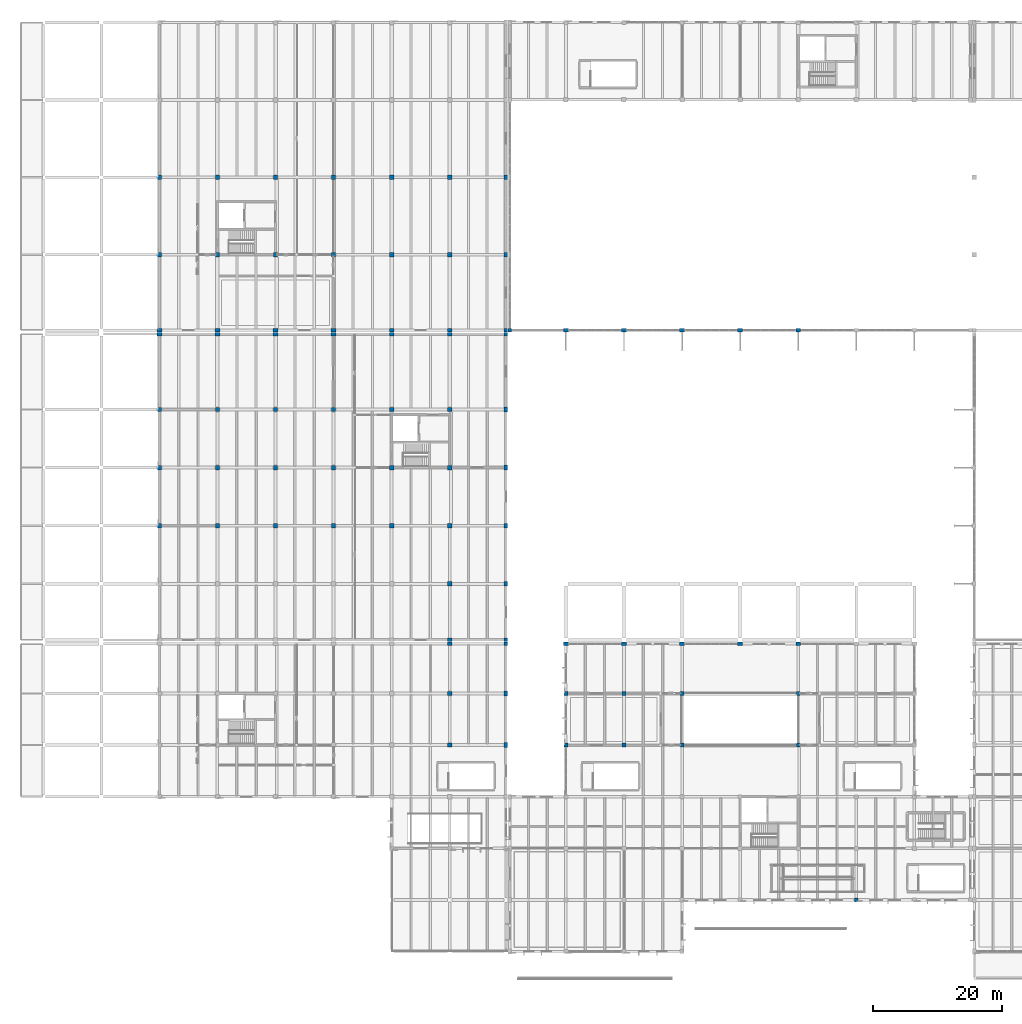
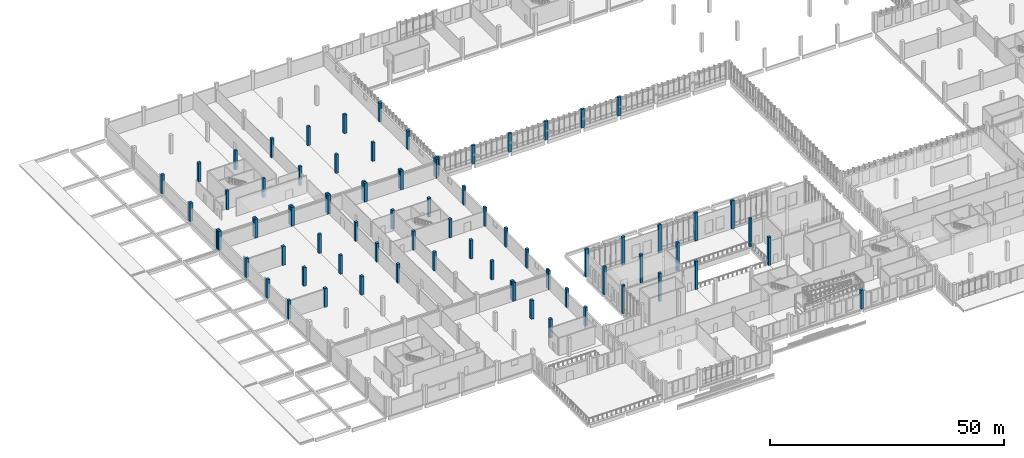
# One storey, part 3 of 110: 79 columns.
"""IFC4 building model written with IfcOpenShell, lengths in metres."""

from ifc_helpers import new_model, si_unit, direction, frame, origin, origin_2d, place, context, subcontext, project, spatial, rectangle, extrude, material, material_profile, profile_set, type_object, element, save


model = new_model("IFC4")

# Units and contexts
model_context = context("Model", 3, precision=1e-05, world=origin(), true_north=direction((0.0, 1.0)))
body_context = subcontext(model_context, "Body", "Model", "MODEL_VIEW")
ifc_project = project(units=[si_unit("LENGTHUNIT", "METRE"), si_unit("AREAUNIT", "SQUARE_METRE"), si_unit("VOLUMEUNIT", "CUBIC_METRE"), si_unit("PLANEANGLEUNIT", "RADIAN"), si_unit("MASSUNIT", "GRAM", prefix="KILO")], contexts=[model_context])

# Site, building, storey
site_placement = place(None, origin())
site = spatial("IfcSite", under=ifc_project, at=site_placement, CompositionType="ELEMENT")
building_placement = place(site_placement, origin())
building = spatial("IfcBuilding", under=site, at=building_placement, Name="Zacnel Wholesale Market", CompositionType="ELEMENT")
storey_placement = place(building_placement, frame((0.0, 0.0, 6.300048828125)))
storey = spatial("IfcBuildingStorey", under=building, at=storey_placement, Name="L02", CompositionType="ELEMENT", Elevation=6.300048828125)

# Columns
ifc_material_1 = material(Name="Precast concrete C45/55", Category="concrete")
ifc_material_profile_1 = material_profile(ifc_material_1, rectangle(XDim=0.550048828125, YDim=0.75, at=origin_2d()), Name="PC 550x750")
ifc_profile_set_1 = profile_set([ifc_material_profile_1], Name="Precast concrete C45/55")
column_type_1 = type_object("IfcColumnType", Name="COL-MJ550X750", PredefinedType="COLUMN", material=ifc_profile_set_1)
for number, where, z_axis, x_axis, name in (
    (1, (71.699951171875, 32.0, 0.0), (0.0, 0.0, 1.0), (1.0, 0.0, 0.0), "Precast column L02-0443"),
    (2, (71.699951171875, 40.0, 0.0), (0.0, 0.0, 1.0), (1.0, 0.0, 0.0), "Precast column L02-0444"),
    (3, (71.699951171875, 57.0, 0.0), (0.0, 0.0, 1.0), (1.0, 0.0, 0.0), "Precast column L02-0447"),
    (4, (71.699951171875, 66.0, 0.0), (0.0, 0.0, 1.0), (1.0, 0.0, 0.0), "Precast column L02-0448"),
    (5, (71.699951171875, 75.0, 0.0), (0.0, 0.0, 1.0), (1.0, 0.0, 0.0), "Precast column L02-0449"),
    (6, (71.699951171875, 84.0, 0.0), (0.0, 0.0, 1.0), (1.0, 0.0, 0.0), "Precast column L02-0450"),
    (7, (71.699951171875, 108.0, 0.0), (0.0, 0.0, 1.0), (1.0, 0.0, 0.0), "Precast column L02-0453"),
    (8, (71.699951171875, 120.0, 0.0), (0.0, 0.0, 1.0), (1.0, 0.0, 0.0), "Precast column L02-0454"),
):
    element("IfcColumn", number, at=place(storey_placement, frame(where, z_axis=z_axis, x_axis=x_axis)), inside=storey, type_object=column_type_1, Name=name, PredefinedType="COLUMN", context=body_context, shape_type="SweptSolid", body=[
        extrude(rectangle(XDim=0.550048828125, YDim=0.75, at=origin_2d()), origin(), (0.0, 0.0, 1.0), 4.89990234375),
    ])
ifc_material_2 = material(Name="Precast concrete C45/55", Category="concrete")
ifc_material_profile_2 = material_profile(ifc_material_2, rectangle(XDim=0.75, YDim=0.550048828125, at=origin_2d()), Name="PC 750x550")
ifc_profile_set_2 = profile_set([ifc_material_profile_2], Name="Precast concrete C45/55")
column_type_2 = type_object("IfcColumnType", Name="COL-MJ750X550", PredefinedType="COLUMN", material=ifc_profile_set_2)
for number, where, z_axis, x_axis, name in (
    (9, (18.0, 95.699951171875, 0.0), (0.0, 0.0, 1.0), (1.0, 0.0, 0.0), "Precast column L02-0361"),
    (10, (18.0, 96.300048828125, 0.0), (0.0, 0.0, 1.0), (1.0, 0.0, 0.0), "Precast column L02-0362"),
    (11, (27.0, 95.699951171875, 0.0), (0.0, 0.0, 1.0), (1.0, 0.0, 0.0), "Precast column L02-0376"),
    (12, (27.0, 96.300048828125, 0.0), (0.0, 0.0, 1.0), (1.0, 0.0, 0.0), "Precast column L02-0377"),
    (13, (36.0, 95.699951171875, 0.0), (0.0, 0.0, 1.0), (1.0, 0.0, 0.0), "Precast column L02-0391"),
    (14, (36.0, 96.300048828125, 0.0), (0.0, 0.0, 1.0), (1.0, 0.0, 0.0), "Precast column L02-0392"),
    (15, (45.0, 95.699951171875, 0.0), (0.0, 0.0, 1.0), (1.0, 0.0, 0.0), "Precast column L02-0406"),
    (16, (45.0, 96.300048828125, 0.0), (0.0, 0.0, 1.0), (1.0, 0.0, 0.0), "Precast column L02-0407"),
    (17, (54.0, 95.699951171875, 0.0), (0.0, 0.0, 1.0), (1.0, 0.0, 0.0), "Precast column L02-0421"),
    (18, (54.0, 96.300048828125, 0.0), (0.0, 0.0, 1.0), (1.0, 0.0, 0.0), "Precast column L02-0422"),
    (19, (63.0, 47.699951171875, 0.0), (0.0, 0.0, 1.0), (1.0, 0.0, 0.0), "Precast column L02-0430"),
    (20, (63.0, 48.300048828125, 0.0), (0.0, 0.0, 1.0), (1.0, 0.0, 0.0), "Precast column L02-0431"),
    (21, (63.0, 95.699951171875, 0.0), (0.0, 0.0, 1.0), (1.0, 0.0, 0.0), "Precast column L02-0436"),
    (22, (63.0, 96.300048828125, 0.0), (0.0, 0.0, 1.0), (1.0, 0.0, 0.0), "Precast column L02-0437"),
):
    element("IfcColumn", number, at=place(storey_placement, frame(where, z_axis=z_axis, x_axis=x_axis)), inside=storey, type_object=column_type_2, Name=name, PredefinedType="COLUMN", context=body_context, shape_type="SweptSolid", body=[
        extrude(rectangle(XDim=0.75, YDim=0.550048828125, at=origin_2d()), origin(), (0.0, 0.0, 1.0), 4.89990234375),
    ])
column_1_placement = place(storey_placement, frame((81.0, 47.699951171875, 0.0), z_axis=(0.0, 0.0, 1.0), x_axis=(1.0, 0.0, 0.0)))
element("IfcColumn", 23, at=column_1_placement, inside=storey, type_object=column_type_2, Name="Precast column L02-0470", PredefinedType="COLUMN", context=body_context, shape_type="SweptSolid", body=[
    extrude(rectangle(XDim=0.75, YDim=0.550048828125, at=origin_2d()), origin(), (0.0, 0.0, 1.0), 7.349853515625),
])
column_2_placement = place(storey_placement, frame((81.0, 96.300048828125, 0.0), z_axis=(0.0, 0.0, 1.0), x_axis=(1.0, 0.0, 0.0)))
element("IfcColumn", 24, at=column_2_placement, inside=storey, type_object=column_type_2, Name="Precast column L02-0471", PredefinedType="COLUMN", context=body_context, shape_type="SweptSolid", body=[
    extrude(rectangle(XDim=0.75, YDim=0.550048828125, at=origin_2d()), origin(), (0.0, 0.0, 1.0), 4.89990234375),
])
column_3_placement = place(storey_placement, frame((90.0, 47.699951171875, 0.0), z_axis=(0.0, 0.0, 1.0), x_axis=(1.0, 0.0, 0.0)))
element("IfcColumn", 25, at=column_3_placement, inside=storey, type_object=column_type_2, Name="Precast column L02-0480", PredefinedType="COLUMN", context=body_context, shape_type="SweptSolid", body=[
    extrude(rectangle(XDim=0.75, YDim=0.550048828125, at=origin_2d()), origin(), (0.0, 0.0, 1.0), 7.349853515625),
])
column_4_placement = place(storey_placement, frame((90.0, 96.300048828125, 0.0), z_axis=(0.0, 0.0, 1.0), x_axis=(1.0, 0.0, 0.0)))
element("IfcColumn", 26, at=column_4_placement, inside=storey, type_object=column_type_2, Name="Precast column L02-0481", PredefinedType="COLUMN", context=body_context, shape_type="SweptSolid", body=[
    extrude(rectangle(XDim=0.75, YDim=0.550048828125, at=origin_2d()), origin(), (0.0, 0.0, 1.0), 4.89990234375),
])
column_5_placement = place(storey_placement, frame((99.0, 47.699951171875, 0.0), z_axis=(0.0, 0.0, 1.0), x_axis=(1.0, 0.0, 0.0)))
element("IfcColumn", 27, at=column_5_placement, inside=storey, type_object=column_type_2, Name="Precast column L02-0490", PredefinedType="COLUMN", context=body_context, shape_type="SweptSolid", body=[
    extrude(rectangle(XDim=0.75, YDim=0.550048828125, at=origin_2d()), origin(), (0.0, 0.0, 1.0), 7.349853515625),
])
column_6_placement = place(storey_placement, frame((99.0, 96.300048828125, 0.0), z_axis=(0.0, 0.0, 1.0), x_axis=(1.0, 0.0, 0.0)))
element("IfcColumn", 28, at=column_6_placement, inside=storey, type_object=column_type_2, Name="Precast column L02-0491", PredefinedType="COLUMN", context=body_context, shape_type="SweptSolid", body=[
    extrude(rectangle(XDim=0.75, YDim=0.550048828125, at=origin_2d()), origin(), (0.0, 0.0, 1.0), 4.89990234375),
])
column_7_placement = place(storey_placement, frame((108.0, 47.699951171875, 0.0), z_axis=(0.0, 0.0, 1.0), x_axis=(1.0, 0.0, 0.0)))
element("IfcColumn", 29, at=column_7_placement, inside=storey, type_object=column_type_2, Name="Precast column L02-0497", PredefinedType="COLUMN", context=body_context, shape_type="SweptSolid", body=[
    extrude(rectangle(XDim=0.75, YDim=0.550048828125, at=origin_2d()), origin(), (0.0, 0.0, 1.0), 7.349853515625),
])
column_8_placement = place(storey_placement, frame((108.0, 96.300048828125, 0.0), z_axis=(0.0, 0.0, 1.0), x_axis=(1.0, 0.0, 0.0)))
element("IfcColumn", 30, at=column_8_placement, inside=storey, type_object=column_type_2, Name="Precast column L02-0498", PredefinedType="COLUMN", context=body_context, shape_type="SweptSolid", body=[
    extrude(rectangle(XDim=0.75, YDim=0.550048828125, at=origin_2d()), origin(), (0.0, 0.0, 1.0), 4.89990234375),
])
column_9_placement = place(storey_placement, frame((117.0, 47.699951171875, 0.0), z_axis=(0.0, 0.0, 1.0), x_axis=(1.0, 0.0, 0.0)))
element("IfcColumn", 31, at=column_9_placement, inside=storey, type_object=column_type_2, Name="Precast column L02-0505", PredefinedType="COLUMN", context=body_context, shape_type="SweptSolid", body=[
    extrude(rectangle(XDim=0.75, YDim=0.550048828125, at=origin_2d()), origin(), (0.0, 0.0, 1.0), 7.349853515625),
])
column_10_placement = place(storey_placement, frame((117.0, 96.300048828125, 0.0), z_axis=(0.0, 0.0, 1.0), x_axis=(1.0, 0.0, 0.0)))
element("IfcColumn", 32, at=column_10_placement, inside=storey, type_object=column_type_2, Name="Precast column L02-0506", PredefinedType="COLUMN", context=body_context, shape_type="SweptSolid", body=[
    extrude(rectangle(XDim=0.75, YDim=0.550048828125, at=origin_2d()), origin(), (0.0, 0.0, 1.0), 4.89990234375),
])
ifc_material_3 = material(Name="Precast concrete C45/55", Category="concrete")
ifc_material_profile_3 = material_profile(ifc_material_3, rectangle(XDim=0.550048828125, YDim=0.550048828125, at=origin_2d()), Name="PC 550x550")
ifc_profile_set_3 = profile_set([ifc_material_profile_3], Name="Precast concrete C45/55")
column_type_3 = type_object("IfcColumnType", Name="COL-PC550", PredefinedType="COLUMN", material=ifc_profile_set_3)
for number, where, z_axis, x_axis, name in (
    (33, (71.699951171875, 47.699951171875, 0.0), (0.0, 0.0, 1.0), (1.0, 0.0, 0.0), "Precast column L02-0445"),
    (34, (71.699951171875, 48.300048828125, 0.0), (0.0, 0.0, 1.0), (1.0, 0.0, 0.0), "Precast column L02-0446"),
    (35, (71.699951171875, 95.699951171875, 0.0), (0.0, 0.0, 1.0), (1.0, 0.0, 0.0), "Precast column L02-0451"),
    (36, (71.699951171875, 96.300048828125, 0.0), (0.0, 0.0, 1.0), (1.0, 0.0, 0.0), "Precast column L02-0452"),
    (37, (72.300048828125, 96.300048828125, 0.0), (0.0, 0.0, 1.0), (1.0, 0.0, 0.0), "Precast column L02-0461"),
):
    element("IfcColumn", number, at=place(storey_placement, frame(where, z_axis=z_axis, x_axis=x_axis)), inside=storey, type_object=column_type_3, Name=name, PredefinedType="COLUMN", context=body_context, shape_type="SweptSolid", body=[
        extrude(rectangle(XDim=0.550048828125, YDim=0.550048828125, at=origin_2d()), origin(), (0.0, 0.0, 1.0), 4.89990234375),
    ])
ifc_material_4 = material(Name="Precast concrete C45/55", Category="concrete")
ifc_material_profile_4 = material_profile(ifc_material_4, rectangle(XDim=0.60009765625, YDim=0.60009765625, at=origin_2d()), Name="PC 600x600")
ifc_profile_set_4 = profile_set([ifc_material_profile_4], Name="Precast concrete C45/55")
column_type_4 = type_object("IfcColumnType", Name="COL-PC600", PredefinedType="COLUMN", material=ifc_profile_set_4)
for number, where, z_axis, x_axis, name in (
    (38, (81.0, 32.0, 0.0), (0.0, 0.0, 1.0), (1.0, 0.0, 0.0), "Precast column L02-0468"),
    (39, (81.0, 40.0, 0.0), (0.0, 0.0, 1.0), (1.0, 0.0, 0.0), "Precast column L02-0469"),
    (40, (90.0, 32.0, 0.0), (0.0, 0.0, 1.0), (1.0, 0.0, 0.0), "Precast column L02-0478"),
    (41, (90.0, 40.0, 0.0), (0.0, 0.0, 1.0), (1.0, 0.0, 0.0), "Precast column L02-0479"),
    (42, (99.0, 32.0, 0.0), (0.0, 0.0, 1.0), (1.0, 0.0, 0.0), "Precast column L02-0488"),
    (43, (99.0, 40.0, 0.0), (0.0, 0.0, 1.0), (1.0, 0.0, 0.0), "Precast column L02-0489"),
    (44, (117.0, 32.0, 0.0), (0.0, 0.0, 1.0), (1.0, 0.0, 0.0), "Precast column L02-0503"),
    (45, (117.0, 40.0, 0.0), (0.0, 0.0, 1.0), (1.0, 0.0, 0.0), "Precast column L02-0504"),
):
    element("IfcColumn", number, at=place(storey_placement, frame(where, z_axis=z_axis, x_axis=x_axis)), inside=storey, type_object=column_type_4, Name=name, PredefinedType="COLUMN", context=body_context, shape_type="SweptSolid", body=[
        extrude(rectangle(XDim=0.60009765625, YDim=0.60009765625, at=origin_2d()), origin(), (0.0, 0.0, 1.0), 7.349853515625),
    ])
column_11_placement = place(storey_placement, frame((126.0, 8.0, 0.0), z_axis=(0.0, 0.0, 1.0), x_axis=(1.0, 0.0, 0.0)))
element("IfcColumn", 46, at=column_11_placement, inside=storey, type_object=column_type_4, Name="Precast wing column V4EL2S-005", PredefinedType="COLUMN", context=body_context, shape_type="SweptSolid", body=[
    extrude(rectangle(XDim=0.60009765625, YDim=0.60009765625, at=origin_2d()), origin(), (0.0, 0.0, 1.0), 4.89990234375),
])
ifc_material_5 = material(Name="Precast concrete C45/55", Category="concrete")
ifc_material_profile_5 = material_profile(ifc_material_5, rectangle(XDim=0.64990234375, YDim=0.64990234375, at=origin_2d()), Name="PC 650x650")
ifc_profile_set_5 = profile_set([ifc_material_profile_5], Name="Precast concrete C45/55")
column_type_5 = type_object("IfcColumnType", Name="COL-PC650", PredefinedType="COLUMN", material=ifc_profile_set_5)
for number, where, z_axis, x_axis, name in (
    (47, (18.0, 66.0, 0.0), (0.0, 0.0, 1.0), (1.0, 0.0, 0.0), "Precast column L02-0358"),
    (48, (18.0, 75.0, 0.0), (0.0, 0.0, 1.0), (1.0, 0.0, 0.0), "Precast column L02-0359"),
    (49, (18.0, 84.0, 0.0), (0.0, 0.0, 1.0), (1.0, 0.0, 0.0), "Precast column L02-0360"),
    (50, (18.0, 108.0, 0.0), (0.0, 0.0, 1.0), (1.0, 0.0, 0.0), "Precast column L02-0363"),
    (51, (18.0, 120.0, 0.0), (0.0, 0.0, 1.0), (1.0, 0.0, 0.0), "Precast column L02-0364"),
    (52, (27.0, 66.0, 0.0), (0.0, 0.0, 1.0), (1.0, 0.0, 0.0), "Precast column L02-0373"),
    (53, (27.0, 75.0, 0.0), (0.0, 0.0, 1.0), (1.0, 0.0, 0.0), "Precast column L02-0374"),
    (54, (27.0, 84.0, 0.0), (0.0, 0.0, 1.0), (1.0, 0.0, 0.0), "Precast column L02-0375"),
    (55, (27.0, 108.0, 0.0), (0.0, 0.0, 1.0), (1.0, 0.0, 0.0), "Precast column L02-0378"),
    (56, (27.0, 120.0, 0.0), (0.0, 0.0, 1.0), (1.0, 0.0, 0.0), "Precast column L02-0379"),
    (57, (36.0, 66.0, 0.0), (0.0, 0.0, 1.0), (1.0, 0.0, 0.0), "Precast column L02-0388"),
    (58, (36.0, 75.0, 0.0), (0.0, 0.0, 1.0), (1.0, 0.0, 0.0), "Precast column L02-0389"),
    (59, (36.0, 84.0, 0.0), (0.0, 0.0, 1.0), (1.0, 0.0, 0.0), "Precast column L02-0390"),
    (60, (36.0, 108.0, 0.0), (0.0, 0.0, 1.0), (1.0, 0.0, 0.0), "Precast column L02-0393"),
    (61, (36.0, 120.0, 0.0), (0.0, 0.0, 1.0), (1.0, 0.0, 0.0), "Precast column L02-0394"),
    (62, (45.0, 66.0, 0.0), (0.0, 0.0, 1.0), (1.0, 0.0, 0.0), "Precast column L02-0403"),
    (63, (45.0, 75.0, 0.0), (0.0, 0.0, 1.0), (1.0, 0.0, 0.0), "Precast column L02-0404"),
    (64, (45.0, 84.0, 0.0), (0.0, 0.0, 1.0), (1.0, 0.0, 0.0), "Precast column L02-0405"),
    (65, (45.0, 108.0, 0.0), (0.0, 0.0, 1.0), (1.0, 0.0, 0.0), "Precast column L02-0408"),
    (66, (45.0, 120.0, 0.0), (0.0, 0.0, 1.0), (1.0, 0.0, 0.0), "Precast column L02-0409"),
    (67, (54.0, 66.0, 0.0), (0.0, 0.0, 1.0), (1.0, 0.0, 0.0), "Precast column L02-0418"),
    (68, (54.0, 75.0, 0.0), (0.0, 0.0, 1.0), (1.0, 0.0, 0.0), "Precast column L02-0419"),
    (69, (54.0, 84.0, 0.0), (0.0, 0.0, 1.0), (1.0, 0.0, 0.0), "Precast column L02-0420"),
    (70, (54.0, 108.0, 0.0), (0.0, 0.0, 1.0), (1.0, 0.0, 0.0), "Precast column L02-0423"),
    (71, (54.0, 120.0, 0.0), (0.0, 0.0, 1.0), (1.0, 0.0, 0.0), "Precast column L02-0424"),
    (72, (63.0, 32.0, 0.0), (0.0, 0.0, 1.0), (1.0, 0.0, 0.0), "Precast column L02-0428"),
    (73, (63.0, 40.0, 0.0), (0.0, 0.0, 1.0), (1.0, 0.0, 0.0), "Precast column L02-0429"),
    (74, (63.0, 57.0, 0.0), (0.0, 0.0, 1.0), (1.0, 0.0, 0.0), "Precast column L02-0432"),
    (75, (63.0, 66.0, 0.0), (0.0, 0.0, 1.0), (1.0, 0.0, 0.0), "Precast column L02-0433"),
    (76, (63.0, 75.0, 0.0), (0.0, 0.0, 1.0), (1.0, 0.0, 0.0), "Precast column L02-0434"),
    (77, (63.0, 84.0, 0.0), (0.0, 0.0, 1.0), (1.0, 0.0, 0.0), "Precast column L02-0435"),
    (78, (63.0, 108.0, 0.0), (0.0, 0.0, 1.0), (1.0, 0.0, 0.0), "Precast column L02-0438"),
    (79, (63.0, 120.0, 0.0), (0.0, 0.0, 1.0), (1.0, 0.0, 0.0), "Precast column L02-0439"),
):
    element("IfcColumn", number, at=place(storey_placement, frame(where, z_axis=z_axis, x_axis=x_axis)), inside=storey, type_object=column_type_5, Name=name, PredefinedType="COLUMN", context=body_context, shape_type="SweptSolid", body=[
        extrude(rectangle(XDim=0.64990234375, YDim=0.64990234375, at=origin_2d()), origin(), (0.0, 0.0, 1.0), 4.89990234375),
    ])

save(model, "model.ifc")
